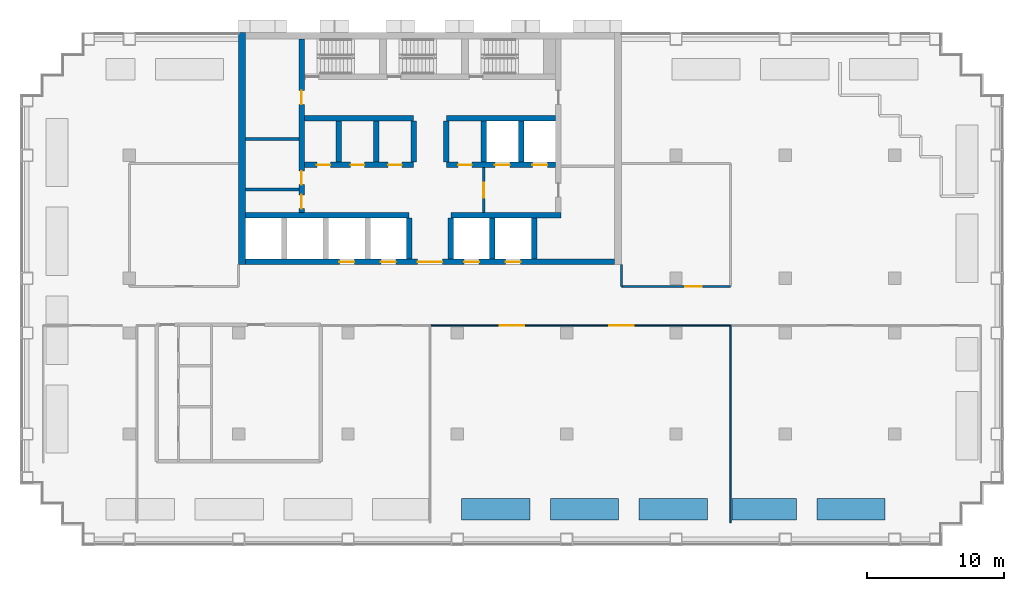
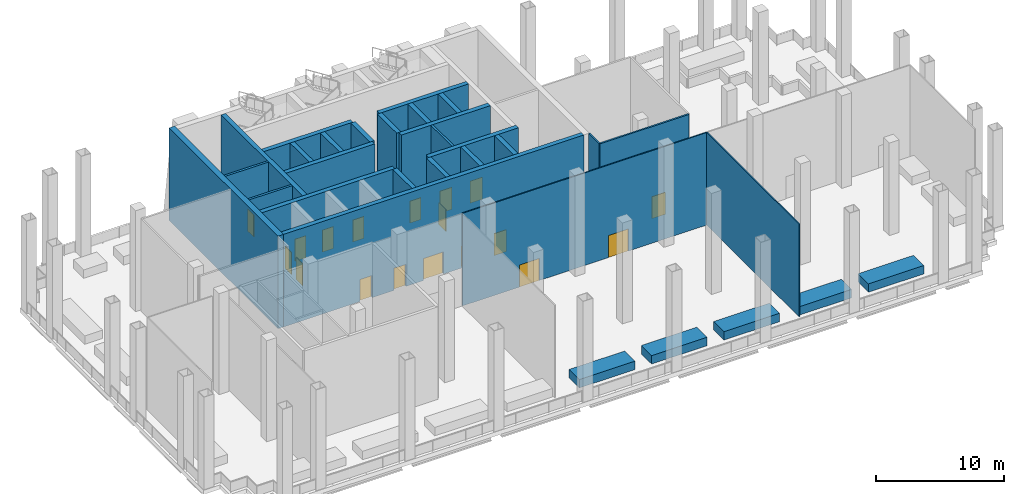
# One storey, part 3 of 9: 31 walls, 18 doors, 18 openings.
"""IFC4 building model written with IfcOpenShell, lengths in metres."""

import ifcopenshell
import ifcopenshell.guid

model = None  # the IFC model being written
_history = None  # IfcOwnerHistory: only IFC2X3 demands one
_inside = {}  # id of a spatial element -> (the spatial element, [elements in it])
_under = {}  # id of a project, library or spatial element -> (it, [spatial elements below it])
_declared = {}  # id of a project -> (the project, [libraries it declares])
_typed = {}  # id of a type object -> (the type object, [elements of that type])
_made_of = {}  # id of a material, layer set ... -> (it, [elements and type objects made of it])


def new_model(schema):
    """Start an empty IFC model of exactly this schema.

    Asked for "IFC4X3", IfcOpenShell would pick the latest addendum, in which some entities
    have other attributes; the version numbers below select the first issue.
    IFC2X3 requires an IfcOwnerHistory on every rooted entity: one is made here for all.
    """
    global model, _history
    if schema == "IFC4X3":
        model = ifcopenshell.file(schema_version=(4, 3, 0, 0))
    else:
        model = ifcopenshell.file(schema=schema)
    _inside.clear()
    _under.clear()
    _declared.clear()
    _typed.clear()
    _made_of.clear()
    _history = None
    if model.schema == "IFC2X3":
        org = make("IfcOrganization", Name="unknown")
        user = make(
            "IfcPersonAndOrganization",
            ThePerson=make("IfcPerson", FamilyName="unknown"),
            TheOrganization=org,
        )
        app = make(
            "IfcApplication",
            ApplicationDeveloper=org,
            Version="unknown",
            ApplicationFullName="unknown",
            ApplicationIdentifier="unknown",
        )
        _history = make(
            "IfcOwnerHistory",
            OwningUser=user,
            OwningApplication=app,
            ChangeAction="ADDED",
            CreationDate=0,
        )
    return model


def make(cls, **values):
    """One entity of the class cls with the attributes given. An attribute that is None is left unset."""
    return model.create_entity(
        cls, **{name: value for name, value in values.items() if value is not None}
    )


def rooted(cls, **values):
    """An entity with a GlobalId (a new one), such as an element, a storey or a relation."""
    return make(cls, GlobalId=ifcopenshell.guid.new(), OwnerHistory=_history, **values)


def si_unit(unit_type, name, prefix=None):
    """IfcSIUnit, for example si_unit("LENGTHUNIT", "METRE", prefix="MILLI")."""
    return make("IfcSIUnit", UnitType=unit_type, Prefix=prefix, Name=name)


def assignment(units):
    """IfcUnitAssignment: the units of a project."""
    return None if units is None else make("IfcUnitAssignment", Units=units)


def point(xyz):
    """IfcCartesianPoint."""
    return None if xyz is None else make("IfcCartesianPoint", Coordinates=xyz)


def direction(xyz):
    """IfcDirection."""
    return None if xyz is None else make("IfcDirection", DirectionRatios=xyz)


def frame(location, z_axis=None, x_axis=None):
    """IfcAxis2Placement3D, a coordinate frame: its origin and axes. An axis left out is left unset."""
    return make(
        "IfcAxis2Placement3D",
        Location=point(location),
        Axis=direction(z_axis),
        RefDirection=direction(x_axis),
    )


def frame_2d(location, x_axis=None):
    """IfcAxis2Placement2D, a coordinate frame in the plane: its origin and x axis."""
    return make(
        "IfcAxis2Placement2D", Location=point(location), RefDirection=direction(x_axis)
    )


def origin():
    """The frame at (0, 0, 0) with its axes left unset."""
    return frame((0.0, 0.0, 0.0))


def place(relative_to, where):
    """IfcLocalPlacement: puts the frame where relative to a parent placement (None: the world)."""
    return make(
        "IfcLocalPlacement", PlacementRelTo=relative_to, RelativePlacement=where
    )


def context(
    kind, dimensions, precision=None, world=None, true_north=None, identifier=None
):
    """IfcGeometricRepresentationContext, for example the 3D "Model" context."""
    return make(
        "IfcGeometricRepresentationContext",
        ContextIdentifier=identifier,
        ContextType=kind,
        CoordinateSpaceDimension=dimensions,
        Precision=precision,
        WorldCoordinateSystem=world,
        TrueNorth=true_north,
    )


def subcontext(parent, identifier, kind, view, scale=None):
    """IfcGeometricRepresentationSubContext, for example "Body" below "Model"."""
    return make(
        "IfcGeometricRepresentationSubContext",
        ContextIdentifier=identifier,
        ContextType=kind,
        ParentContext=parent,
        TargetScale=scale,
        TargetView=view,
    )


def project(units=None, contexts=None):
    """IfcProject with its units and contexts."""
    return rooted(
        "IfcProject",
        Name="project",
        RepresentationContexts=contexts,
        UnitsInContext=assignment(units),
    )


def spatial(cls, under=None, at=None, **own):
    """A site, building, storey or space (cls), placed at a placement, below another one or the project."""
    s = rooted(cls, ObjectPlacement=at, **own)
    if under is not None:
        _under.setdefault(under.id(), (under, []))[1].append(s)
    return s


def profile(cls, at=None, kind="AREA", **sizes):
    """A parametric profile (cls). Its sizes go by their IFC names, for example OverallWidth=200.0."""
    return make(cls, ProfileType=kind, Position=at, **sizes)


def rectangle(**sizes):
    """IfcRectangleProfileDef."""
    return profile("IfcRectangleProfileDef", **sizes)


def extrude(swept, where, along, depth):
    """IfcExtrudedAreaSolid: the profile swept, set in the frame where, extruded along a direction by depth."""
    return make(
        "IfcExtrudedAreaSolid",
        SweptArea=swept,
        Position=where,
        ExtrudedDirection=direction(along),
        Depth=depth,
    )


def shape(context_of_items, identifier, shape_type, items):
    """IfcShapeRepresentation: the items that make up one representation, for example the "Body"."""
    return make(
        "IfcShapeRepresentation",
        ContextOfItems=context_of_items,
        RepresentationIdentifier=identifier,
        RepresentationType=shape_type,
        Items=items,
    )


def material(Name=None, Category=None):
    """IfcMaterial."""
    return make("IfcMaterial", Name=Name, Category=Category)


def layer(
    of_material, thickness, ventilated=None, Name=None, Category=None, Priority=None
):
    """IfcMaterialLayer: one layer of a wall or slab, of a material (None: an air gap)."""
    return make(
        "IfcMaterialLayer",
        Material=of_material,
        LayerThickness=thickness,
        IsVentilated=ventilated,
        Name=Name,
        Category=Category,
        Priority=Priority,
    )


def layer_set(layers, Name=None):
    """IfcMaterialLayerSet."""
    return make("IfcMaterialLayerSet", MaterialLayers=layers, LayerSetName=Name)


def made_of(thing, what):
    """Note that an element or type object is made of a material, layer set ...; save() writes the relation."""
    if what is not None:
        _made_of.setdefault(what.id(), (what, []))[1].append(thing)
    return thing


def type_object(cls, material=None, **own):
    """A type object (cls), such as IfcWallType, which elements share."""
    return made_of(rooted(cls, **own), material)


def element(
    cls,
    number,
    at=None,
    inside=None,
    cuts=None,
    type_object=None,
    material=None,
    context=None,
    identifier="Body",
    shape_type=None,
    held_by="IfcProductDefinitionShape",
    body=None,
    shapes=None,
    **own,
):
    """One element of the class cls, such as IfcWall. Its Tag is "e" and its number.

    at: its placement. inside: the storey or other place that contains it. cuts: it is an
    opening in that element (IfcRelVoidsElement). A single representation is given by context,
    identifier, shape_type and body (its items); several are given by shapes. held_by: the class
    of the entity that holds the representations. save() writes the other relations.
    """
    e = rooted(cls, Tag="e%d" % number, ObjectPlacement=at, **own)
    if body is not None:
        shapes = [shape(context, identifier, shape_type, body)]
    if shapes is not None:
        e.Representation = make(held_by, Representations=shapes)
    if inside is not None:
        _inside.setdefault(inside.id(), (inside, []))[1].append(e)
    if cuts is not None:
        rooted(
            "IfcRelVoidsElement", RelatingBuildingElement=cuts, RelatedOpeningElement=e
        )
    if type_object is not None:
        _typed.setdefault(type_object.id(), (type_object, []))[1].append(e)
    return made_of(e, material)


def fill(opening, filler):
    """IfcRelFillsElement: the door or window that sits in an opening."""
    return rooted(
        "IfcRelFillsElement",
        RelatingOpeningElement=opening,
        RelatedBuildingElement=filler,
    )


def aggregate(whole, parts):
    """IfcRelAggregates: a whole, such as a stair, and the parts it consists of."""
    return rooted("IfcRelAggregates", RelatingObject=whole, RelatedObjects=parts)


def save(model, path):
    """Write the relations noted so far, then the file.

    IfcRelAggregates (storeys below a building ...), IfcRelContainedInSpatialStructure (elements
    in a storey), IfcRelDefinesByType, IfcRelAssociatesMaterial and IfcRelDeclares: one each for
    every whole, place, type object, material and project.
    """
    for whole, parts in _under.values():
        aggregate(whole, parts)
    for where, things in _inside.values():
        rooted(
            "IfcRelContainedInSpatialStructure",
            RelatedElements=things,
            RelatingStructure=where,
        )
    for kind, things in _typed.values():
        rooted("IfcRelDefinesByType", RelatedObjects=things, RelatingType=kind)
    for what, things in _made_of.values():
        rooted("IfcRelAssociatesMaterial", RelatedObjects=things, RelatingMaterial=what)
    for by, libraries in _declared.values():
        rooted("IfcRelDeclares", RelatingContext=by, RelatedDefinitions=libraries)
    model.write(path)


model = new_model("IFC4")

# Units and contexts
model_context = context("Model", 3, precision=1e-05, world=origin(), true_north=direction((0.0, 1.0)))
body_context = subcontext(model_context, "Body", "Model", "MODEL_VIEW")
ifc_project = project(units=[si_unit("LENGTHUNIT", "METRE"), si_unit("AREAUNIT", "SQUARE_METRE"), si_unit("VOLUMEUNIT", "CUBIC_METRE"), si_unit("PLANEANGLEUNIT", "RADIAN"), si_unit("MASSUNIT", "GRAM", prefix="KILO")], contexts=[model_context])

# Site, building, storey
site_placement = place(None, origin())
site = spatial("IfcSite", under=ifc_project, at=site_placement, CompositionType="ELEMENT")
building_placement = place(site_placement, origin())
building = spatial("IfcBuilding", under=site, at=building_placement, Name="Vidyagriha Tower", CompositionType="ELEMENT")
storey_placement = place(building_placement, frame((0.0, 0.0, 106.300048828125)))
storey = spatial("IfcBuildingStorey", under=building, at=storey_placement, Name="L28", CompositionType="ELEMENT", Elevation=106.300048828125)

# Walls
ifc_material_1 = material(Name="Precast concrete C40/50 with brick facing", Category="concrete")
ifc_layer_1 = layer(ifc_material_1, 1.60009765625)
ifc_layer_set_1 = layer_set([ifc_layer_1], Name="Precast concrete C40/50 with brick facing")
wall_type_1 = type_object("IfcWallType", Name="Brick planter box 1600", PredefinedType="STANDARD", material=ifc_layer_set_1)
for number, where, name in (
    (1, (2.300048828125, -14.89990234375, 0.0), "PLANTER L28 14"),
    (2, (8.800048828125, -14.89990234375, 0.0), "PLANTER L28 15"),
    (3, (15.300048828125, -14.89990234375, 0.0), "PLANTER L28 16"),
    (4, (28.300048828125, -14.89990234375, 0.0), "PLANTER L28 18"),
):
    element("IfcWall", number, at=place(storey_placement, frame(where)), inside=storey, type_object=wall_type_1, Name=name, PredefinedType="STANDARD", context=body_context, shape_type="SweptSolid", body=[
        extrude(rectangle(XDim=5.0, YDim=1.60009765625, at=frame_2d((2.5, 0.0))), origin(), (0.0, 0.0, 1.0), 0.800048828125),
    ])
wall_1_placement = place(storey_placement, frame((22.10009765625, -14.89990234375, 0.0)))
element("IfcWall", 5, at=wall_1_placement, inside=storey, type_object=wall_type_1, Name="PLANTER L28 17", PredefinedType="STANDARD", context=body_context, shape_type="SweptSolid", body=[
    extrude(rectangle(XDim=4.699951171875, YDim=1.60009765625, at=frame_2d((2.35009765625, 0.0))), origin(), (0.0, 0.0, 1.0), 0.800048828125),
])

# Wall, openings, doors
ifc_material_2 = material(Name="Concrete C60/75", Category="concrete")
ifc_layer_2 = layer(ifc_material_2, 0.39990234375)
ifc_layer_set_2 = layer_set([ifc_layer_2], Name="Concrete C60/75")
wall_type_2 = type_object("IfcWallType", Name="Core shear wall 400 mm", PredefinedType="SHEAR", material=ifc_layer_set_2)
wall_2_placement = place(storey_placement, frame((-9.39990234375, 6.800048828125, 0.0), z_axis=(0.0, 0.0, 1.0), x_axis=(0.0, 1.0, 0.0)))
wall_2 = element("IfcWall", 6, at=wall_2_placement, inside=storey, type_object=wall_type_2, Name="Core west spine wall", PredefinedType="SHEAR", context=body_context, shape_type="SweptSolid", body=[
    extrude(rectangle(XDim=12.699951171875, YDim=0.39990234375, at=frame_2d((6.35009765625, 0.0))), origin(), (0.0, 0.0, 1.0), 8.800048828125),
])
opening_1_placement = place(wall_2_placement, frame((0.300048828125, 0.0, 0.0)))
opening_1 = element("IfcOpeningElement", 7, at=opening_1_placement, cuts=wall_2, Name="Opening D28-10", PredefinedType="OPENING", context=body_context, shape_type="SweptSolid", body=[
    extrude(rectangle(XDim=1.0, YDim=2.10009765625, at=frame_2d((0.5, 1.050048828125))), frame((0.0, 0.2099609375, 0.0), z_axis=(0.0, -1.0, 0.0), x_axis=(1.0, 0.0, 0.0)), (0.0, 0.0, 1.0), 0.419921875),
])
opening_2_placement = place(wall_2_placement, frame((2.050048828125, 0.0, 0.0)))
opening_2 = element("IfcOpeningElement", 8, at=opening_2_placement, cuts=wall_2, Name="Opening D28-11", PredefinedType="OPENING", context=body_context, shape_type="SweptSolid", body=[
    extrude(rectangle(XDim=1.0, YDim=2.10009765625, at=frame_2d((0.5, 1.050048828125))), frame((0.0, 0.2099609375, 0.0), z_axis=(0.0, -1.0, 0.0), x_axis=(1.0, 0.0, 0.0)), (0.0, 0.0, 1.0), 0.419921875),
])
opening_3_placement = place(wall_2_placement, frame((7.925048828125, 0.0, 0.0)))
opening_3 = element("IfcOpeningElement", 9, at=opening_3_placement, cuts=wall_2, Name="Opening D28-12", PredefinedType="OPENING", context=body_context, shape_type="SweptSolid", body=[
    extrude(rectangle(XDim=1.0, YDim=2.10009765625, at=frame_2d((0.5, 1.050048828125))), frame((0.0, 0.2099609375, 0.0), z_axis=(0.0, -1.0, 0.0), x_axis=(1.0, 0.0, 0.0)), (0.0, 0.0, 1.0), 0.419921875),
])
ifc_material_3 = material(Name="Hollow metal door leaf")
door_type_1 = type_object("IfcDoorType", Name="Core room door 1000 x 2100 mm EI 60", OperationType="NOTDEFINED", PredefinedType="DOOR", material=ifc_material_3)
door_1_placement = place(opening_1_placement, frame((1.0, 0.0, 0.0), z_axis=(0.0, 0.0, 1.0), x_axis=(-1.0, 0.0, 0.0)))
door_1 = element("IfcDoor", 10, at=door_1_placement, inside=storey, type_object=door_type_1, Name="Door Refuse Room 28.W1", OperationType="SINGLE_SWING_RIGHT", OverallHeight=2.10009765625, OverallWidth=1.0, PredefinedType="DOOR", context=body_context, shape_type="SweptSolid", body=[
    extrude(rectangle(XDim=1.0, YDim=2.10009765625, at=frame_2d((0.5, 1.050048828125))), frame((0.0, 0.02490234375, 0.0), z_axis=(0.0, -1.0, 0.0), x_axis=(1.0, 0.0, 0.0)), (0.0, 0.0, 1.0), 0.050048828125),
])
fill(opening_1, door_1)
door_2_placement = place(opening_2_placement, frame((1.0, 0.0, 0.0), z_axis=(0.0, 0.0, 1.0), x_axis=(-1.0, 0.0, 0.0)))
door_2 = element("IfcDoor", 11, at=door_2_placement, inside=storey, type_object=door_type_1, Name="Door Mechanical Riser Room 28.W2", OperationType="SINGLE_SWING_LEFT", OverallHeight=2.10009765625, OverallWidth=1.0, PredefinedType="DOOR", context=body_context, shape_type="SweptSolid", body=[
    extrude(rectangle(XDim=1.0, YDim=2.10009765625, at=frame_2d((0.5, 1.050048828125))), frame((0.0, 0.02490234375, 0.0), z_axis=(0.0, -1.0, 0.0), x_axis=(1.0, 0.0, 0.0)), (0.0, 0.0, 1.0), 0.050048828125),
])
fill(opening_2, door_2)
door_3_placement = place(opening_3_placement, frame((1.0, 0.0, 0.0), z_axis=(0.0, 0.0, 1.0), x_axis=(-1.0, 0.0, 0.0)))
door_3 = element("IfcDoor", 12, at=door_3_placement, inside=storey, type_object=door_type_1, Name="Door Electrical Room 28.W3", OperationType="SINGLE_SWING_LEFT", OverallHeight=2.10009765625, OverallWidth=1.0, PredefinedType="DOOR", context=body_context, shape_type="SweptSolid", body=[
    extrude(rectangle(XDim=1.0, YDim=2.10009765625, at=frame_2d((0.5, 1.050048828125))), frame((0.0, 0.02490234375, 0.0), z_axis=(0.0, -1.0, 0.0), x_axis=(1.0, 0.0, 0.0)), (0.0, 0.0, 1.0), 0.050048828125),
])
fill(opening_3, door_3)

wall_3_placement = place(storey_placement, frame((-13.5, 3.199951171875, 0.0)))
wall_3 = element("IfcWall", 13, at=wall_3_placement, inside=storey, type_object=wall_type_2, Name="Core front wall", PredefinedType="SHEAR", context=body_context, shape_type="SweptSolid", body=[
    extrude(rectangle(XDim=27.0, YDim=0.39990234375, at=frame_2d((13.5, 0.0))), origin(), (0.0, 0.0, 1.0), 8.800048828125),
])
opening_4_placement = place(wall_3_placement, frame((6.861083984375, 0.0, 0.0)))
opening_4 = element("IfcOpeningElement", 14, at=opening_4_placement, cuts=wall_3, Name="Opening LD28-01", PredefinedType="OPENING", context=body_context, shape_type="SweptSolid", body=[
    extrude(rectangle(XDim=1.10009765625, YDim=2.10009765625, at=frame_2d((0.550048828125, 1.050048828125))), frame((0.0, 0.2099609375, 0.0), z_axis=(0.0, -1.0, 0.0), x_axis=(1.0, 0.0, 0.0)), (0.0, 0.0, 1.0), 0.419921875),
])
opening_5_placement = place(wall_3_placement, frame((9.905517578125, 0.0, 0.0)))
opening_5 = element("IfcOpeningElement", 15, at=opening_5_placement, cuts=wall_3, Name="Opening LD28-02", PredefinedType="OPENING", context=body_context, shape_type="SweptSolid", body=[
    extrude(rectangle(XDim=1.10009765625, YDim=2.10009765625, at=frame_2d((0.550048828125, 1.050048828125))), frame((0.0, 0.2099609375, 0.0), z_axis=(0.0, -1.0, 0.0), x_axis=(1.0, 0.0, 0.0)), (0.0, 0.0, 1.0), 0.419921875),
])
opening_6_placement = place(wall_3_placement, frame((15.994384765625, 0.0, 0.0)))
opening_6 = element("IfcOpeningElement", 16, at=opening_6_placement, cuts=wall_3, Name="Opening LD28-03", PredefinedType="OPENING", context=body_context, shape_type="SweptSolid", body=[
    extrude(rectangle(XDim=1.10009765625, YDim=2.10009765625, at=frame_2d((0.550048828125, 1.050048828125))), frame((0.0, 0.2099609375, 0.0), z_axis=(0.0, -1.0, 0.0), x_axis=(1.0, 0.0, 0.0)), (0.0, 0.0, 1.0), 0.419921875),
])
opening_7_placement = place(wall_3_placement, frame((19.038818359375, 0.0, 0.0)))
opening_7 = element("IfcOpeningElement", 17, at=opening_7_placement, cuts=wall_3, Name="Opening LD28-04", PredefinedType="OPENING", context=body_context, shape_type="SweptSolid", body=[
    extrude(rectangle(XDim=1.10009765625, YDim=2.10009765625, at=frame_2d((0.550048828125, 1.050048828125))), frame((0.0, 0.2099609375, 0.0), z_axis=(0.0, -1.0, 0.0), x_axis=(1.0, 0.0, 0.0)), (0.0, 0.0, 1.0), 0.419921875),
])
opening_8_placement = place(wall_3_placement, frame((12.60009765625, 0.0, 0.0)))
opening_8 = element("IfcOpeningElement", 18, at=opening_8_placement, cuts=wall_3, Name="Opening D28-01", PredefinedType="OPENING", context=body_context, shape_type="SweptSolid", body=[
    extrude(rectangle(XDim=1.800048828125, YDim=2.10009765625, at=frame_2d((0.89990234375, 1.050048828125))), frame((0.0, 0.2099609375, 0.0), z_axis=(0.0, -1.0, 0.0), x_axis=(1.0, 0.0, 0.0)), (0.0, 0.0, 1.0), 0.419921875),
])
ifc_material_4 = material(Name="Hollow metal door leaf")
door_type_2 = type_object("IfcDoorType", Name="Core lobby double door 1800 x 2100 mm EI 60", OperationType="NOTDEFINED", PredefinedType="DOOR", material=ifc_material_4)
door_4_placement = place(opening_8_placement, frame((1.800048828125, 0.0, 0.0), z_axis=(0.0, 0.0, 1.0), x_axis=(-1.0, 0.0, 0.0)))
door_4 = element("IfcDoor", 19, at=door_4_placement, inside=storey, type_object=door_type_2, Name="Core entrance door L28", OperationType="DOUBLE_DOOR_SINGLE_SWING", OverallHeight=2.10009765625, OverallWidth=1.800048828125, PredefinedType="DOOR", context=body_context, shape_type="SweptSolid", body=[
    extrude(rectangle(XDim=1.800048828125, YDim=2.10009765625, at=frame_2d((0.89990234375, 1.050048828125))), frame((0.0, 0.02490234375, 0.0), z_axis=(0.0, -1.0, 0.0), x_axis=(1.0, 0.0, 0.0)), (0.0, 0.0, 1.0), 0.050048828125),
])
fill(opening_8, door_4)
ifc_material_5 = material(Name="Stainless steel sliding door panel", Category="steel")
door_type_3 = type_object("IfcDoorType", Name="Lift landing door 1100 x 2100 mm EI 90", OperationType="NOTDEFINED", PredefinedType="DOOR", material=ifc_material_5)
door_5_placement = place(opening_4_placement, origin())
door_5 = element("IfcDoor", 20, at=door_5_placement, inside=storey, type_object=door_type_3, Name="Landing door LR1 L28", OperationType="SLIDING_TO_LEFT", OverallHeight=2.10009765625, OverallWidth=1.10009765625, PredefinedType="DOOR", context=body_context, shape_type="SweptSolid", body=[
    extrude(rectangle(XDim=1.10009765625, YDim=2.10009765625, at=frame_2d((0.550048828125, 1.050048828125))), frame((0.0, 0.02490234375, 0.0), z_axis=(0.0, -1.0, 0.0), x_axis=(1.0, 0.0, 0.0)), (0.0, 0.0, 1.0), 0.050048828125),
])
fill(opening_4, door_5)
door_6_placement = place(opening_5_placement, origin())
door_6 = element("IfcDoor", 21, at=door_6_placement, inside=storey, type_object=door_type_3, Name="Landing door LR2 L28", OperationType="SLIDING_TO_LEFT", OverallHeight=2.10009765625, OverallWidth=1.10009765625, PredefinedType="DOOR", context=body_context, shape_type="SweptSolid", body=[
    extrude(rectangle(XDim=1.10009765625, YDim=2.10009765625, at=frame_2d((0.550048828125, 1.050048828125))), frame((0.0, 0.02490234375, 0.0), z_axis=(0.0, -1.0, 0.0), x_axis=(1.0, 0.0, 0.0)), (0.0, 0.0, 1.0), 0.050048828125),
])
fill(opening_5, door_6)
door_7_placement = place(opening_6_placement, origin())
door_7 = element("IfcDoor", 22, at=door_7_placement, inside=storey, type_object=door_type_3, Name="Landing door LR3 L28", OperationType="SLIDING_TO_LEFT", OverallHeight=2.10009765625, OverallWidth=1.10009765625, PredefinedType="DOOR", context=body_context, shape_type="SweptSolid", body=[
    extrude(rectangle(XDim=1.10009765625, YDim=2.10009765625, at=frame_2d((0.550048828125, 1.050048828125))), frame((0.0, 0.02490234375, 0.0), z_axis=(0.0, -1.0, 0.0), x_axis=(1.0, 0.0, 0.0)), (0.0, 0.0, 1.0), 0.050048828125),
])
fill(opening_6, door_7)
door_8_placement = place(opening_7_placement, origin())
door_8 = element("IfcDoor", 23, at=door_8_placement, inside=storey, type_object=door_type_3, Name="Landing door LR4 L28", OperationType="SLIDING_TO_LEFT", OverallHeight=2.10009765625, OverallWidth=1.10009765625, PredefinedType="DOOR", context=body_context, shape_type="SweptSolid", body=[
    extrude(rectangle(XDim=1.10009765625, YDim=2.10009765625, at=frame_2d((0.550048828125, 1.050048828125))), frame((0.0, 0.02490234375, 0.0), z_axis=(0.0, -1.0, 0.0), x_axis=(1.0, 0.0, 0.0)), (0.0, 0.0, 1.0), 0.050048828125),
])
fill(opening_7, door_8)

# Walls
wall_4_placement = place(storey_placement, frame((-13.5, 6.60009765625, 0.0)))
element("IfcWall", 24, at=wall_4_placement, inside=storey, type_object=wall_type_2, Name="Core lobby south wall west", PredefinedType="SHEAR", context=body_context, shape_type="SweptSolid", body=[
    extrude(rectangle(XDim=11.977783203125, YDim=0.39990234375, at=frame_2d((5.98876953125, 0.0))), origin(), (0.0, 0.0, 1.0), 8.800048828125),
])
wall_5_placement = place(storey_placement, frame((1.522216796875, 6.60009765625, 0.0)))
element("IfcWall", 25, at=wall_5_placement, inside=storey, type_object=wall_type_2, Name="Core lobby south wall east", PredefinedType="SHEAR", context=body_context, shape_type="SweptSolid", body=[
    extrude(rectangle(XDim=8.077880859375, YDim=0.39990234375, at=frame_2d((4.0390625, 0.0))), origin(), (0.0, 0.0, 1.0), 8.800048828125),
])
for number, where, z_axis, x_axis, name in (
    (26, (-1.522216796875, 3.39990234375, 0.0), (0.0, 0.0, 1.0), (0.0, 1.0, 0.0), "Core bay wall S4"),
    (27, (1.522216796875, 3.39990234375, 0.0), (0.0, 0.0, 1.0), (0.0, 1.0, 0.0), "Core bay wall S5"),
    (28, (4.566650390625, 3.39990234375, 0.0), (0.0, 0.0, 1.0), (0.0, 1.0, 0.0), "Core bay wall S6"),
    (29, (7.611083984375, 3.39990234375, 0.0), (0.0, 0.0, 1.0), (0.0, 1.0, 0.0), "Core bay wall S7"),
):
    element("IfcWall", number, at=place(storey_placement, frame(where, z_axis=z_axis, x_axis=x_axis)), inside=storey, type_object=wall_type_2, Name=name, PredefinedType="SHEAR", context=body_context, shape_type="SweptSolid", body=[
        extrude(rectangle(XDim=3.0, YDim=0.39990234375, at=frame_2d((1.5, 0.0))), origin(), (0.0, 0.0, 1.0), 8.800048828125),
    ])

# Wall, openings, doors
wall_6_placement = place(storey_placement, frame((-9.199951171875, 10.300048828125, 0.0)))
wall_6 = element("IfcWall", 30, at=wall_6_placement, inside=storey, type_object=wall_type_2, Name="Core row N front wall", PredefinedType="SHEAR", context=body_context, shape_type="SweptSolid", body=[
    extrude(rectangle(XDim=8.0, YDim=0.39990234375, at=frame_2d((4.0, 0.0))), origin(), (0.0, 0.0, 1.0), 8.800048828125),
])
opening_9_placement = place(wall_6_placement, frame((0.916748046875, 0.0, 0.0)))
opening_9 = element("IfcOpeningElement", 31, at=opening_9_placement, cuts=wall_6, Name="Opening D28-02", PredefinedType="OPENING", context=body_context, shape_type="SweptSolid", body=[
    extrude(rectangle(XDim=1.0, YDim=2.10009765625, at=frame_2d((0.5, 1.050048828125))), frame((0.0, 0.2099609375, 0.0), z_axis=(0.0, -1.0, 0.0), x_axis=(1.0, 0.0, 0.0)), (0.0, 0.0, 1.0), 0.419921875),
])
opening_10_placement = place(wall_6_placement, frame((3.39990234375, 0.0, 0.0)))
opening_10 = element("IfcOpeningElement", 32, at=opening_10_placement, cuts=wall_6, Name="Opening D28-03", PredefinedType="OPENING", context=body_context, shape_type="SweptSolid", body=[
    extrude(rectangle(XDim=1.0, YDim=2.10009765625, at=frame_2d((0.5, 1.050048828125))), frame((0.0, 0.2099609375, 0.0), z_axis=(0.0, -1.0, 0.0), x_axis=(1.0, 0.0, 0.0)), (0.0, 0.0, 1.0), 0.419921875),
])
opening_11_placement = place(wall_6_placement, frame((6.13330078125, 0.0, 0.0)))
opening_11 = element("IfcOpeningElement", 33, at=opening_11_placement, cuts=wall_6, Name="Opening D28-04", PredefinedType="OPENING", context=body_context, shape_type="SweptSolid", body=[
    extrude(rectangle(XDim=1.0, YDim=2.10009765625, at=frame_2d((0.5, 1.050048828125))), frame((0.0, 0.2099609375, 0.0), z_axis=(0.0, -1.0, 0.0), x_axis=(1.0, 0.0, 0.0)), (0.0, 0.0, 1.0), 0.419921875),
])
door_9_placement = place(opening_9_placement, frame((1.0, 0.0, 0.0), z_axis=(0.0, 0.0, 1.0), x_axis=(-1.0, 0.0, 0.0)))
door_9 = element("IfcDoor", 34, at=door_9_placement, inside=storey, type_object=door_type_1, Name="Door Electrical Room 28.14", OperationType="SINGLE_SWING_RIGHT", OverallHeight=2.10009765625, OverallWidth=1.0, PredefinedType="DOOR", context=body_context, shape_type="SweptSolid", body=[
    extrude(rectangle(XDim=1.0, YDim=2.10009765625, at=frame_2d((0.5, 1.050048828125))), frame((0.0, 0.02490234375, 0.0), z_axis=(0.0, -1.0, 0.0), x_axis=(1.0, 0.0, 0.0)), (0.0, 0.0, 1.0), 0.050048828125),
])
fill(opening_9, door_9)
door_10_placement = place(opening_10_placement, frame((1.0, 0.0, 0.0), z_axis=(0.0, 0.0, 1.0), x_axis=(-1.0, 0.0, 0.0)))
door_10 = element("IfcDoor", 35, at=door_10_placement, inside=storey, type_object=door_type_1, Name="Door Cleaners Store 28.15", OperationType="SINGLE_SWING_RIGHT", OverallHeight=2.10009765625, OverallWidth=1.0, PredefinedType="DOOR", context=body_context, shape_type="SweptSolid", body=[
    extrude(rectangle(XDim=1.0, YDim=2.10009765625, at=frame_2d((0.5, 1.050048828125))), frame((0.0, 0.02490234375, 0.0), z_axis=(0.0, -1.0, 0.0), x_axis=(1.0, 0.0, 0.0)), (0.0, 0.0, 1.0), 0.050048828125),
])
fill(opening_10, door_10)
door_11_placement = place(opening_11_placement, frame((1.0, 0.0, 0.0), z_axis=(0.0, 0.0, 1.0), x_axis=(-1.0, 0.0, 0.0)))
door_11 = element("IfcDoor", 36, at=door_11_placement, inside=storey, type_object=door_type_1, Name="Door Riser Room 28.16", OperationType="SINGLE_SWING_LEFT", OverallHeight=2.10009765625, OverallWidth=1.0, PredefinedType="DOOR", context=body_context, shape_type="SweptSolid", body=[
    extrude(rectangle(XDim=1.0, YDim=2.10009765625, at=frame_2d((0.5, 1.050048828125))), frame((0.0, 0.02490234375, 0.0), z_axis=(0.0, -1.0, 0.0), x_axis=(1.0, 0.0, 0.0)), (0.0, 0.0, 1.0), 0.050048828125),
])
fill(opening_11, door_11)

# Wall
wall_7_placement = place(storey_placement, frame((-9.199951171875, 13.699951171875, 0.0)))
element("IfcWall", 37, at=wall_7_placement, inside=storey, type_object=wall_type_2, Name="Core row N rear wall", PredefinedType="SHEAR", context=body_context, shape_type="SweptSolid", body=[
    extrude(rectangle(XDim=8.0, YDim=0.39990234375, at=frame_2d((4.0, 0.0))), origin(), (0.0, 0.0, 1.0), 8.800048828125),
])

# Wall, openings, doors
wall_8_placement = place(storey_placement, frame((1.199951171875, 10.300048828125, 0.0)))
wall_8 = element("IfcWall", 38, at=wall_8_placement, inside=storey, type_object=wall_type_2, Name="Core row N front wall", PredefinedType="SHEAR", context=body_context, shape_type="SweptSolid", body=[
    extrude(rectangle(XDim=8.0, YDim=0.39990234375, at=frame_2d((4.0, 0.0))), origin(), (0.0, 0.0, 1.0), 8.800048828125),
])
opening_12_placement = place(wall_8_placement, frame((3.550048828125, 0.0, 0.0)))
opening_12 = element("IfcOpeningElement", 39, at=opening_12_placement, cuts=wall_8, Name="Opening LD28-05", PredefinedType="OPENING", context=body_context, shape_type="SweptSolid", body=[
    extrude(rectangle(XDim=1.10009765625, YDim=2.10009765625, at=frame_2d((0.550048828125, 1.050048828125))), frame((0.0, 0.2099609375, 0.0), z_axis=(0.0, -1.0, 0.0), x_axis=(1.0, 0.0, 0.0)), (0.0, 0.0, 1.0), 0.419921875),
])
opening_13_placement = place(wall_8_placement, frame((6.283203125, 0.0, 0.0)))
opening_13 = element("IfcOpeningElement", 40, at=opening_13_placement, cuts=wall_8, Name="Opening LD28-06", PredefinedType="OPENING", context=body_context, shape_type="SweptSolid", body=[
    extrude(rectangle(XDim=1.10009765625, YDim=2.10009765625, at=frame_2d((0.550048828125, 1.050048828125))), frame((0.0, 0.2099609375, 0.0), z_axis=(0.0, -1.0, 0.0), x_axis=(1.0, 0.0, 0.0)), (0.0, 0.0, 1.0), 0.419921875),
])
opening_14_placement = place(wall_8_placement, frame((0.86669921875, 0.0, 0.0)))
opening_14 = element("IfcOpeningElement", 41, at=opening_14_placement, cuts=wall_8, Name="Opening D28-05", PredefinedType="OPENING", context=body_context, shape_type="SweptSolid", body=[
    extrude(rectangle(XDim=1.0, YDim=2.10009765625, at=frame_2d((0.5, 1.050048828125))), frame((0.0, 0.2099609375, 0.0), z_axis=(0.0, -1.0, 0.0), x_axis=(1.0, 0.0, 0.0)), (0.0, 0.0, 1.0), 0.419921875),
])
door_12_placement = place(opening_14_placement, frame((1.0, 0.0, 0.0), z_axis=(0.0, 0.0, 1.0), x_axis=(-1.0, 0.0, 0.0)))
door_12 = element("IfcDoor", 42, at=door_12_placement, inside=storey, type_object=door_type_1, Name="Door Mechanical Riser Room 28.17", OperationType="SINGLE_SWING_LEFT", OverallHeight=2.10009765625, OverallWidth=1.0, PredefinedType="DOOR", context=body_context, shape_type="SweptSolid", body=[
    extrude(rectangle(XDim=1.0, YDim=2.10009765625, at=frame_2d((0.5, 1.050048828125))), frame((0.0, 0.02490234375, 0.0), z_axis=(0.0, -1.0, 0.0), x_axis=(1.0, 0.0, 0.0)), (0.0, 0.0, 1.0), 0.050048828125),
])
fill(opening_14, door_12)
door_13_placement = place(opening_12_placement, origin())
door_13 = element("IfcDoor", 43, at=door_13_placement, inside=storey, type_object=door_type_3, Name="Landing door FF1 L28", OperationType="SLIDING_TO_LEFT", OverallHeight=2.10009765625, OverallWidth=1.10009765625, PredefinedType="DOOR", context=body_context, shape_type="SweptSolid", body=[
    extrude(rectangle(XDim=1.10009765625, YDim=2.10009765625, at=frame_2d((0.550048828125, 1.050048828125))), frame((0.0, 0.02490234375, 0.0), z_axis=(0.0, -1.0, 0.0), x_axis=(1.0, 0.0, 0.0)), (0.0, 0.0, 1.0), 0.050048828125),
])
fill(opening_12, door_13)
door_14_placement = place(opening_13_placement, origin())
door_14 = element("IfcDoor", 44, at=door_14_placement, inside=storey, type_object=door_type_3, Name="Landing door FF2 L28", OperationType="SLIDING_TO_LEFT", OverallHeight=2.10009765625, OverallWidth=1.10009765625, PredefinedType="DOOR", context=body_context, shape_type="SweptSolid", body=[
    extrude(rectangle(XDim=1.10009765625, YDim=2.10009765625, at=frame_2d((0.550048828125, 1.050048828125))), frame((0.0, 0.02490234375, 0.0), z_axis=(0.0, -1.0, 0.0), x_axis=(1.0, 0.0, 0.0)), (0.0, 0.0, 1.0), 0.050048828125),
])
fill(opening_13, door_14)

# Walls
wall_9_placement = place(storey_placement, frame((1.199951171875, 13.699951171875, 0.0)))
element("IfcWall", 45, at=wall_9_placement, inside=storey, type_object=wall_type_2, Name="Core row N rear wall", PredefinedType="SHEAR", context=body_context, shape_type="SweptSolid", body=[
    extrude(rectangle(XDim=8.0, YDim=0.39990234375, at=frame_2d((4.0, 0.0))), origin(), (0.0, 0.0, 1.0), 8.800048828125),
])
for number, where, z_axis, x_axis, name in (
    (46, (-6.666748046875, 10.5, 0.0), (0.0, 0.0, 1.0), (0.0, 1.0, 0.0), "Core bay wall N1"),
    (47, (-3.933349609375, 10.5, 0.0), (0.0, 0.0, 1.0), (0.0, 1.0, 0.0), "Core bay wall N2"),
    (48, (-1.199951171875, 10.5, 0.0), (0.0, 0.0, 1.0), (0.0, 1.0, 0.0), "Core bay wall N3"),
    (49, (1.199951171875, 10.5, 0.0), (0.0, 0.0, 1.0), (0.0, 1.0, 0.0), "Core bay wall N4"),
    (50, (3.933349609375, 10.5, 0.0), (0.0, 0.0, 1.0), (0.0, 1.0, 0.0), "Core bay wall N5"),
    (51, (6.666748046875, 10.5, 0.0), (0.0, 0.0, 1.0), (0.0, 1.0, 0.0), "Core bay wall N6"),
):
    element("IfcWall", number, at=place(storey_placement, frame(where, z_axis=z_axis, x_axis=x_axis)), inside=storey, type_object=wall_type_2, Name=name, PredefinedType="SHEAR", context=body_context, shape_type="SweptSolid", body=[
        extrude(rectangle(XDim=3.0, YDim=0.39990234375, at=frame_2d((1.5, 0.0))), origin(), (0.0, 0.0, 1.0), 8.800048828125),
    ])
ifc_material_6 = material(Name="Concrete C60/75", Category="concrete")
ifc_layer_3 = layer(ifc_material_6, 0.5)
ifc_layer_set_3 = layer_set([ifc_layer_3], Name="Concrete C60/75")
wall_type_3 = type_object("IfcWallType", Name="Core shear wall 500 mm", PredefinedType="SHEAR", material=ifc_layer_set_3)
wall_10_placement = place(storey_placement, frame((-13.75, 3.0, 0.0), z_axis=(0.0, 0.0, 1.0), x_axis=(0.0, 1.0, 0.0)))
element("IfcWall", 52, at=wall_10_placement, inside=storey, type_object=wall_type_3, Name="Core west wall", PredefinedType="SHEAR", context=body_context, shape_type="SweptSolid", body=[
    extrude(rectangle(XDim=17.0, YDim=0.5, at=frame_2d((8.5, 0.0))), origin(), (0.0, 0.0, 1.0), 8.800048828125),
])

# Wall, openings, doors
ifc_material_7 = material(Name="Glass clear low-iron", Category="glass")
ifc_layer_4 = layer(ifc_material_7, 0.10009765625)
ifc_layer_set_4 = layer_set([ifc_layer_4], Name="Glass clear low-iron")
wall_type_4 = type_object("IfcWallType", Name="Glazed partition 100", PredefinedType="PARTITIONING", material=ifc_layer_set_4)
wall_11_placement = place(storey_placement, frame((0.0, -1.449951171875, 0.0)))
wall_11 = element("IfcWall", 53, at=wall_11_placement, inside=storey, type_object=wall_type_4, Name="Wall all-L28-w027", PredefinedType="PARTITIONING", context=body_context, shape_type="SweptSolid", body=[
    extrude(rectangle(XDim=22.0, YDim=0.10009765625, at=frame_2d((11.0, 0.0))), origin(), (0.0, 0.0, 1.0), 8.800048828125),
])
opening_15_placement = place(wall_11_placement, frame((5.10009765625, 0.0, 0.0)))
opening_15 = element("IfcOpeningElement", 54, at=opening_15_placement, cuts=wall_11, Name="Opening D28-24", PredefinedType="OPENING", context=body_context, shape_type="SweptSolid", body=[
    extrude(rectangle(XDim=1.800048828125, YDim=2.10009765625, at=frame_2d((0.89990234375, 1.050048828125))), frame((0.0, 0.06005859375, 0.0), z_axis=(0.0, -1.0, 0.0), x_axis=(1.0, 0.0, 0.0)), (0.0, 0.0, 1.0), 0.1201171875),
])
opening_16_placement = place(wall_11_placement, frame((13.10009765625, 0.0, 0.0)))
opening_16 = element("IfcOpeningElement", 55, at=opening_16_placement, cuts=wall_11, Name="Opening D28-25", PredefinedType="OPENING", context=body_context, shape_type="SweptSolid", body=[
    extrude(rectangle(XDim=1.800048828125, YDim=2.10009765625, at=frame_2d((0.89990234375, 1.050048828125))), frame((0.0, 0.06005859375, 0.0), z_axis=(0.0, -1.0, 0.0), x_axis=(1.0, 0.0, 0.0)), (0.0, 0.0, 1.0), 0.1201171875),
])
ifc_material_8 = material(Name="Timber door leaf", Category="wood")
door_type_4 = type_object("IfcDoorType", Name="Room door 1800x2100", OperationType="NOTDEFINED", PredefinedType="DOOR", material=ifc_material_8)
door_15_placement = place(opening_15_placement, origin())
door_15 = element("IfcDoor", 56, at=door_15_placement, inside=storey, type_object=door_type_4, Name="Door D28-24", OperationType="DOUBLE_DOOR_SINGLE_SWING", OverallHeight=2.10009765625, OverallWidth=1.800048828125, PredefinedType="DOOR", context=body_context, shape_type="SweptSolid", body=[
    extrude(rectangle(XDim=1.800048828125, YDim=2.10009765625, at=frame_2d((0.89990234375, 1.050048828125))), frame((0.0, 0.02490234375, 0.0), z_axis=(0.0, -1.0, 0.0), x_axis=(1.0, 0.0, 0.0)), (0.0, 0.0, 1.0), 0.050048828125),
])
fill(opening_15, door_15)
door_16_placement = place(opening_16_placement, origin())
door_16 = element("IfcDoor", 57, at=door_16_placement, inside=storey, type_object=door_type_4, Name="Door D28-25", OperationType="DOUBLE_DOOR_SINGLE_SWING", OverallHeight=2.10009765625, OverallWidth=1.800048828125, PredefinedType="DOOR", context=body_context, shape_type="SweptSolid", body=[
    extrude(rectangle(XDim=1.800048828125, YDim=2.10009765625, at=frame_2d((0.89990234375, 1.050048828125))), frame((0.0, 0.02490234375, 0.0), z_axis=(0.0, -1.0, 0.0), x_axis=(1.0, 0.0, 0.0)), (0.0, 0.0, 1.0), 0.050048828125),
])
fill(opening_16, door_16)

# Wall
wall_12_placement = place(storey_placement, frame((22.0, -1.449951171875, 0.0), z_axis=(0.0, 0.0, 1.0), x_axis=(0.0, -1.0, 0.0)))
element("IfcWall", 58, at=wall_12_placement, inside=storey, type_object=wall_type_4, Name="Wall all-L28-w035", PredefinedType="PARTITIONING", context=body_context, shape_type="SweptSolid", body=[
    extrude(rectangle(XDim=14.449951171875, YDim=0.10009765625, at=frame_2d((7.22509765625, 0.0))), origin(), (0.0, 0.0, 1.0), 8.800048828125),
])

# Wall, opening, door
ifc_material_9 = material(Name="Gypsum board partition")
ifc_layer_5 = layer(ifc_material_9, 0.14990234375)
ifc_layer_set_5 = layer_set([ifc_layer_5], Name="Gypsum board partition")
wall_type_5 = type_object("IfcWallType", Name="Gypsum board partition 150", PredefinedType="PARTITIONING", material=ifc_layer_set_5)
wall_13_placement = place(storey_placement, frame((14.0, 1.39990234375, 0.0)))
wall_13 = element("IfcWall", 59, at=wall_13_placement, inside=storey, type_object=wall_type_5, Name="Wall all-L28-w021", PredefinedType="PARTITIONING", context=body_context, shape_type="SweptSolid", body=[
    extrude(rectangle(XDim=8.0, YDim=0.14990234375, at=frame_2d((4.0, 0.0))), origin(), (0.0, 0.0, 1.0), 8.800048828125),
])
opening_17_placement = place(wall_13_placement, frame((4.68896484375, 0.0, 0.0)))
opening_17 = element("IfcOpeningElement", 60, at=opening_17_placement, cuts=wall_13, Name="Opening D28-21", PredefinedType="OPENING", context=body_context, shape_type="SweptSolid", body=[
    extrude(rectangle(XDim=1.199951171875, YDim=2.10009765625, at=frame_2d((0.60009765625, 1.050048828125))), frame((0.0, 0.0849609375, 0.0), z_axis=(0.0, -1.0, 0.0), x_axis=(1.0, 0.0, 0.0)), (0.0, 0.0, 1.0), 0.169921875),
])
ifc_material_10 = material(Name="Timber door leaf", Category="wood")
door_type_5 = type_object("IfcDoorType", Name="Room door 1200x2100", OperationType="NOTDEFINED", PredefinedType="DOOR", material=ifc_material_10)
door_17_placement = place(opening_17_placement, origin())
door_17 = element("IfcDoor", 61, at=door_17_placement, inside=storey, type_object=door_type_5, Name="Door D28-21", OperationType="SINGLE_SWING_RIGHT", OverallHeight=2.10009765625, OverallWidth=1.199951171875, PredefinedType="DOOR", context=body_context, shape_type="SweptSolid", body=[
    extrude(rectangle(XDim=1.199951171875, YDim=2.10009765625, at=frame_2d((0.60009765625, 1.050048828125))), frame((0.0, 0.02490234375, 0.0), z_axis=(0.0, -1.0, 0.0), x_axis=(1.0, 0.0, 0.0)), (0.0, 0.0, 1.0), 0.050048828125),
])
fill(opening_17, door_17)

# Wall
wall_14_placement = place(storey_placement, frame((14.0, 3.0, 0.0), z_axis=(0.0, 0.0, 1.0), x_axis=(0.0, -1.0, 0.0)))
element("IfcWall", 62, at=wall_14_placement, inside=storey, type_object=wall_type_5, Name="Wall all-L28-w022", PredefinedType="PARTITIONING", context=body_context, shape_type="SweptSolid", body=[
    extrude(rectangle(XDim=1.60009765625, YDim=0.14990234375, at=frame_2d((0.800048828125, 0.0))), origin(), (0.0, 0.0, 1.0), 8.800048828125),
])

# Wall, opening, door
ifc_material_11 = material(Name="Blockwork 15 MPa", Category="masonry")
ifc_layer_6 = layer(ifc_material_11, 0.199951171875)
ifc_layer_set_6 = layer_set([ifc_layer_6], Name="Blockwork 15 MPa")
wall_type_6 = type_object("IfcWallType", Name="Service room partition 200 mm", PredefinedType="PARTITIONING", material=ifc_layer_set_6)
wall_15_placement = place(storey_placement, frame((3.933349609375, 6.800048828125, 0.0), z_axis=(0.0, 0.0, 1.0), x_axis=(0.0, 1.0, 0.0)))
wall_15 = element("IfcWall", 63, at=wall_15_placement, inside=storey, type_object=wall_type_6, Name="Fire-fighting lobby west wall", PredefinedType="PARTITIONING", context=body_context, shape_type="SweptSolid", body=[
    extrude(rectangle(XDim=3.300048828125, YDim=0.199951171875, at=frame_2d((1.64990234375, 0.0))), origin(), (0.0, 0.0, 1.0), 8.800048828125),
])
opening_18_placement = place(wall_15_placement, frame((1.10009765625, 0.0, 0.0)))
opening_18 = element("IfcOpeningElement", 64, at=opening_18_placement, cuts=wall_15, Name="Opening D28-06", PredefinedType="OPENING", context=body_context, shape_type="SweptSolid", body=[
    extrude(rectangle(XDim=1.10009765625, YDim=2.10009765625, at=frame_2d((0.550048828125, 1.050048828125))), frame((0.0, 0.10986328125, 0.0), z_axis=(0.0, -1.0, 0.0), x_axis=(1.0, 0.0, 0.0)), (0.0, 0.0, 1.0), 0.219970703125),
])
ifc_material_12 = material(Name="Hollow metal door leaf")
door_type_6 = type_object("IfcDoorType", Name="Fire-fighting lobby door 1100 x 2100 mm EI 90", OperationType="NOTDEFINED", PredefinedType="DOOR", material=ifc_material_12)
door_18_placement = place(opening_18_placement, origin())
door_18 = element("IfcDoor", 65, at=door_18_placement, inside=storey, type_object=door_type_6, Name="Fire-fighting lobby door L28", OperationType="SINGLE_SWING_RIGHT", OverallHeight=2.10009765625, OverallWidth=1.10009765625, PredefinedType="DOOR", context=body_context, shape_type="SweptSolid", body=[
    extrude(rectangle(XDim=1.10009765625, YDim=2.10009765625, at=frame_2d((0.550048828125, 1.050048828125))), frame((0.0, 0.02490234375, 0.0), z_axis=(0.0, -1.0, 0.0), x_axis=(1.0, 0.0, 0.0)), (0.0, 0.0, 1.0), 0.050048828125),
])
fill(opening_18, door_18)

# Walls
for number, where, name in (
    (66, (-13.5, 8.5, 0.0), "Core room partition W1"),
    (67, (-13.5, 12.199951171875, 0.0), "Core room partition W2"),
):
    element("IfcWall", number, at=place(storey_placement, frame(where)), inside=storey, type_object=wall_type_6, Name=name, PredefinedType="PARTITIONING", context=body_context, shape_type="SweptSolid", body=[
        extrude(rectangle(XDim=3.89990234375, YDim=0.199951171875, at=frame_2d((1.949951171875, 0.0))), origin(), (0.0, 0.0, 1.0), 8.800048828125),
    ])

save(model, "model.ifc")
